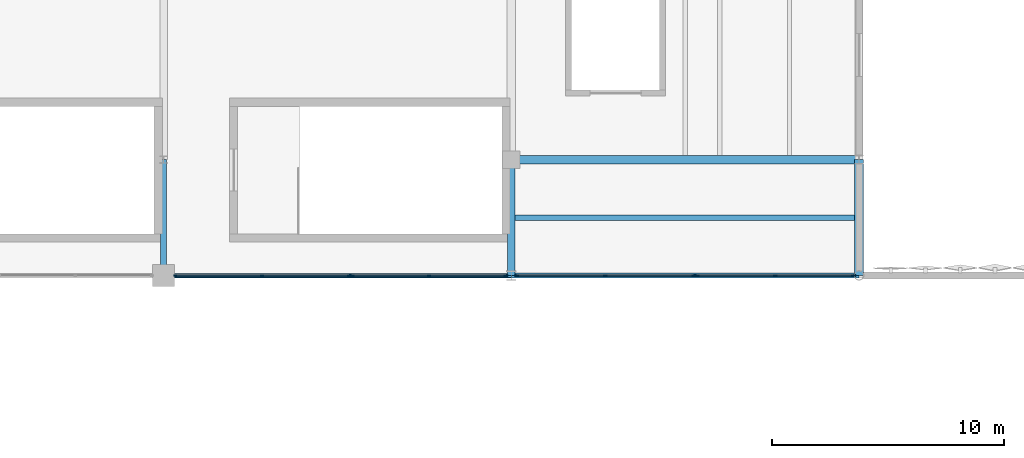
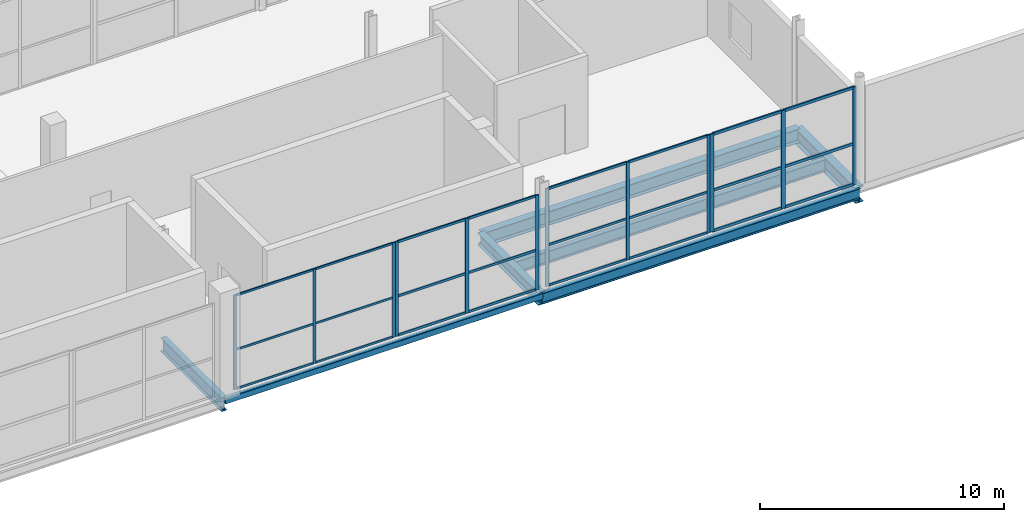
# One storey, part 37 of 119: 36 members, 7 beams, 4 elements without a shape of their own.
"""IFC4 building model written with IfcOpenShell, lengths in metres."""

from ifc_helpers import new_model, si_unit, direction, frame, origin, origin_2d, place, context, subcontext, project, spatial, rectangle, hollow_rectangle, i_section, extrude, material, layer, layer_set, material_profile, profile_set, type_object, element, aggregate, save


model = new_model("IFC4")

# Units and contexts
model_context = context("Model", 3, precision=1e-05, world=origin(), true_north=direction((0.0, 1.0)))
body_context = subcontext(model_context, "Body", "Model", "MODEL_VIEW")
ifc_project = project(units=[si_unit("LENGTHUNIT", "METRE"), si_unit("AREAUNIT", "SQUARE_METRE"), si_unit("VOLUMEUNIT", "CUBIC_METRE"), si_unit("PLANEANGLEUNIT", "RADIAN"), si_unit("MASSUNIT", "GRAM", prefix="KILO")], contexts=[model_context])

# Site, building, storey
site_placement = place(None, origin())
site = spatial("IfcSite", under=ifc_project, at=site_placement, CompositionType="ELEMENT")
building_placement = place(site_placement, origin())
building = spatial("IfcBuilding", under=site, at=building_placement, Name="Qamarlyn Nura Convention Centre", CompositionType="ELEMENT")
storey_placement = place(building_placement, frame((0.0, 0.0, 5.39990234375)))
storey = spatial("IfcBuildingStorey", under=building, at=storey_placement, Name="L01", CompositionType="ELEMENT", Elevation=5.39990234375)

# Beams
ifc_material_1 = material(Name="Steel ASTM A992", Category="steel")
ifc_material_profile_1 = material_profile(ifc_material_1, i_section(OverallWidth=0.323974609375, OverallDepth=0.611083984375, WebThickness=0.0126953125, FlangeThickness=0.01904296875, FilletRadius=0.01611328125, at=origin_2d()), Name="W610X155")
ifc_profile_set_1 = profile_set([ifc_material_profile_1], Name="Steel ASTM A992")
beam_type_1 = type_object("IfcBeamType", Name="BM-GIRD-610", PredefinedType="BEAM", material=ifc_profile_set_1)
beam_1_placement = place(storey_placement, frame((75.0, 103.0, -0.525390625), z_axis=(0.0, 1.0, 0.0), x_axis=(-1.0, 0.0, 0.0)))
element("IfcBeam", 1, at=beam_1_placement, inside=storey, type_object=beam_type_1, Name="L01 girder 6 M-N", PredefinedType="BEAM", context=body_context, shape_type="SweptSolid", body=[
    extrude(i_section(OverallWidth=0.323974609375, OverallDepth=0.611083984375, WebThickness=0.0126953125, FlangeThickness=0.01904296875, FilletRadius=0.01611328125, at=origin_2d()), origin(), (0.0, 0.0, 1.0), 5.0),
])
ifc_material_profile_2 = material_profile(ifc_material_1, i_section(OverallWidth=0.35498046875, OverallDepth=0.695068359375, WebThickness=0.015380859375, FlangeThickness=0.02490234375, FilletRadius=0.01806640625, at=origin_2d()), Name="W690X217")
ifc_profile_set_2 = profile_set([ifc_material_profile_2], Name="Steel ASTM A992")
beam_type_2 = type_object("IfcBeamType", Name="BM-GIRD-690A", PredefinedType="BEAM", material=ifc_profile_set_2)
beam_2_placement = place(storey_placement, frame((75.0, 108.0, -0.5673828125), z_axis=(1.0, 0.0, 0.0), x_axis=(0.0, 1.0, 0.0)))
element("IfcBeam", 2, at=beam_2_placement, inside=storey, type_object=beam_type_2, Name="L01 girder N 6-7", PredefinedType="BEAM", context=body_context, shape_type="SweptSolid", body=[
    extrude(i_section(OverallWidth=0.35498046875, OverallDepth=0.695068359375, WebThickness=0.015380859375, FlangeThickness=0.02490234375, FilletRadius=0.01806640625, at=origin_2d()), origin(), (0.0, 0.0, 1.0), 15.0),
])
ifc_material_profile_3 = material_profile(ifc_material_1, i_section(OverallWidth=0.25390625, OverallDepth=0.68408203125, WebThickness=0.012451171875, FlangeThickness=0.01904296875, FilletRadius=0.01806640625, at=origin_2d()), Name="W690X140")
ifc_profile_set_3 = profile_set([ifc_material_profile_3], Name="Steel ASTM A992")
beam_type_3 = type_object("IfcBeamType", Name="BM-GIRD-690B", PredefinedType="BEAM", material=ifc_profile_set_3)
beam_3_placement = place(storey_placement, frame((60.0, 103.0, -0.56201171875), z_axis=(0.0, 1.0, 0.0), x_axis=(-1.0, 0.0, 0.0)))
element("IfcBeam", 3, at=beam_3_placement, inside=storey, type_object=beam_type_3, Name="L01 girder 5 M-N", PredefinedType="BEAM", context=body_context, shape_type="SweptSolid", body=[
    extrude(i_section(OverallWidth=0.25390625, OverallDepth=0.68408203125, WebThickness=0.012451171875, FlangeThickness=0.01904296875, FilletRadius=0.01806640625, at=origin_2d()), origin(), (0.0, 0.0, 1.0), 5.0),
])
ifc_material_profile_4 = material_profile(ifc_material_1, i_section(OverallWidth=0.381103515625, OverallDepth=0.77294921875, WebThickness=0.0166015625, FlangeThickness=0.027587890625, FilletRadius=0.02001953125, at=origin_2d()), Name="W760X257")
ifc_profile_set_4 = profile_set([ifc_material_profile_4], Name="Steel ASTM A992")
beam_type_4 = type_object("IfcBeamType", Name="BM-GIRD-760", PredefinedType="BEAM", material=ifc_profile_set_4)
beam_4_placement = place(storey_placement, frame((90.0, 103.0, -0.6064453125), z_axis=(0.0, 1.0, 0.0), x_axis=(-1.0, 0.0, 0.0)))
element("IfcBeam", 4, at=beam_4_placement, inside=storey, type_object=beam_type_4, Name="L01 girder 7 M-N", PredefinedType="BEAM", context=body_context, shape_type="SweptSolid", body=[
    extrude(i_section(OverallWidth=0.381103515625, OverallDepth=0.77294921875, WebThickness=0.0166015625, FlangeThickness=0.027587890625, FilletRadius=0.02001953125, at=origin_2d()), origin(), (0.0, 0.0, 1.0), 5.0),
])
ifc_material_profile_5 = material_profile(ifc_material_1, i_section(OverallWidth=0.22802734375, OverallDepth=0.60791015625, WebThickness=0.01123046875, FlangeThickness=0.017333984375, FilletRadius=0.01611328125, at=origin_2d()), Name="W610X113")
ifc_profile_set_5 = profile_set([ifc_material_profile_5], Name="Steel ASTM A992")
beam_type_5 = type_object("IfcBeamType", Name="BM-JOIST-610", PredefinedType="JOIST", material=ifc_profile_set_5)
beam_5_placement = place(storey_placement, frame((75.162109375, 105.5, -0.52392578125), z_axis=(1.0, 0.0, 0.0), x_axis=(0.0, 1.0, 0.0)))
element("IfcBeam", 5, at=beam_5_placement, inside=storey, type_object=beam_type_5, Name="L01 composite joist 6-7/M+1", PredefinedType="JOIST", context=body_context, shape_type="SweptSolid", body=[
    extrude(i_section(OverallWidth=0.22802734375, OverallDepth=0.60791015625, WebThickness=0.01123046875, FlangeThickness=0.017333984375, FilletRadius=0.01611328125, at=origin_2d()), origin(), (0.0, 0.0, 1.0), 14.6474609375),
])
ifc_material_profile_6 = material_profile(ifc_material_1, i_section(OverallWidth=0.2109375, OverallDepth=0.5390625, WebThickness=0.01171875, FlangeThickness=0.018798828125, FilletRadius=0.013916015625, at=origin_2d()), Name="W530X109")
ifc_profile_set_6 = profile_set([ifc_material_profile_6], Name="Steel ASTM A992")
beam_type_6 = type_object("IfcBeamType", Name="BM-SPAN-530", PredefinedType="SPANDREL", material=ifc_profile_set_6)
beam_6_placement = place(storey_placement, frame((75.0, 103.0, -0.489501953125), z_axis=(1.0, 0.0, 0.0), x_axis=(0.0, 1.0, 0.0)))
element("IfcBeam", 6, at=beam_6_placement, inside=storey, type_object=beam_type_6, Name="L01 girder M 6-7", PredefinedType="SPANDREL", context=body_context, shape_type="SweptSolid", body=[
    extrude(i_section(OverallWidth=0.2109375, OverallDepth=0.5390625, WebThickness=0.01171875, FlangeThickness=0.018798828125, FilletRadius=0.013916015625, at=origin_2d()), origin(), (0.0, 0.0, 1.0), 15.0),
])
ifc_material_2 = material(Name="Steel ASTM A500 Grade C", Category="steel")
ifc_material_profile_7 = material_profile(ifc_material_2, hollow_rectangle(XDim=0.199951171875, YDim=0.300048828125, WallThickness=0.012451171875, InnerFilletRadius=0.012451171875, OuterFilletRadius=0.02490234375, at=origin_2d()), Name="HSS300X200X12.5")
ifc_profile_set_7 = profile_set([ifc_material_profile_7], Name="Steel ASTM A500 Grade C")
beam_type_7 = type_object("IfcBeamType", Name="BM-SPAN-HSS", PredefinedType="SPANDREL", material=ifc_profile_set_7)
beam_7_placement = place(storey_placement, frame((60.0, 103.0, -0.369873046875), z_axis=(1.0, 0.0, 0.0), x_axis=(0.0, 1.0, 0.0)))
element("IfcBeam", 7, at=beam_7_placement, inside=storey, type_object=beam_type_7, Name="L01 girder M 5-6", PredefinedType="SPANDREL", context=body_context, shape_type="SweptSolid", body=[
    extrude(hollow_rectangle(XDim=0.199951171875, YDim=0.300048828125, WallThickness=0.012451171875, InnerFilletRadius=0.012451171875, OuterFilletRadius=0.02490234375, at=origin_2d()), origin(), (0.0, 0.0, 1.0), 15.0),
])

# Curtain wall, members
ifc_material_3 = material(Name="Double-silver low-E insulated glass", Category="glass")
ifc_layer_1 = layer(ifc_material_3, 0.179931640625, Name="CW-UNIT-40")
ifc_layer_set_1 = layer_set([ifc_layer_1], Name="Double-silver low-E insulated glass")
curtain_wall_type_1 = type_object("IfcCurtainWallType", Name="CW-UNIT-40", PredefinedType="NOTDEFINED", material=ifc_layer_set_1)
curtain_wall_1_placement = place(storey_placement, origin())
curtain_wall_1 = element("IfcCurtainWall", 8, at=curtain_wall_1_placement, inside=storey, type_object=curtain_wall_type_1, Name="L01 unitised curtain wall NS-INT-4-1B", PredefinedType="NOTDEFINED")
ifc_material_4 = material(Name="Champagne-anodised marine aluminium", Category="aluminium")
ifc_material_profile_8 = material_profile(ifc_material_4, rectangle(XDim=0.06005859375, YDim=0.139892578125, at=origin_2d()), Name="ALU MULLION 60x140")
ifc_profile_set_8 = profile_set([ifc_material_profile_8], Name="Champagne-anodised marine aluminium")
member_type_1 = type_object("IfcMemberType", Name="CWM-140", PredefinedType="MULLION", material=ifc_profile_set_8)
member_1_placement = place(storey_placement, frame((67.994873046875, 103.0, 0.0), z_axis=(0.0, 0.0, 1.0), x_axis=(0.0, -1.0, 0.0)))
member_1 = element("IfcMember", 9, at=member_1_placement, type_object=member_type_1, Name="CW40 mullion 1", PredefinedType="MULLION", context=body_context, shape_type="SweptSolid", body=[
    extrude(rectangle(XDim=0.06005859375, YDim=0.139892578125, at=origin_2d()), origin(), (0.0, 0.0, 1.0), 4.72412109375),
])
member_2_placement = place(storey_placement, frame((64.25, 103.0, 0.0), z_axis=(0.0, 0.0, 1.0), x_axis=(0.0, -1.0, 0.0)))
member_2 = element("IfcMember", 10, at=member_2_placement, type_object=member_type_1, Name="CW40 mullion 2", PredefinedType="MULLION", context=body_context, shape_type="SweptSolid", body=[
    extrude(rectangle(XDim=0.06005859375, YDim=0.139892578125, at=origin_2d()), origin(), (0.0, 0.0, 1.0), 4.72412109375),
])
member_3_placement = place(storey_placement, frame((60.5048828125, 103.0, 0.0), z_axis=(0.0, 0.0, 1.0), x_axis=(0.0, -1.0, 0.0)))
member_3 = element("IfcMember", 11, at=member_3_placement, type_object=member_type_1, Name="CW40 mullion 3", PredefinedType="MULLION", context=body_context, shape_type="SweptSolid", body=[
    extrude(rectangle(XDim=0.06005859375, YDim=0.139892578125, at=origin_2d()), origin(), (0.0, 0.0, 1.0), 4.72412109375),
])

ifc_layer_2 = layer(ifc_material_3, 0.179931640625, Name="CW-UNIT-39")
ifc_layer_set_2 = layer_set([ifc_layer_2], Name="Double-silver low-E insulated glass")
curtain_wall_type_2 = type_object("IfcCurtainWallType", Name="CW-UNIT-39", PredefinedType="NOTDEFINED", material=ifc_layer_set_2)
curtain_wall_2_placement = place(storey_placement, origin())
curtain_wall_2 = element("IfcCurtainWall", 12, at=curtain_wall_2_placement, inside=storey, type_object=curtain_wall_type_2, Name="L01 unitised curtain wall NS-INT-4-1A", PredefinedType="NOTDEFINED")
ifc_material_profile_9 = material_profile(ifc_material_4, rectangle(XDim=0.06494140625, YDim=0.159912109375, at=origin_2d()), Name="ALU MULLION 65x160")
ifc_profile_set_9 = profile_set([ifc_material_profile_9], Name="Champagne-anodised marine aluminium")
member_type_2 = type_object("IfcMemberType", Name="CWM-160", PredefinedType="MULLION", material=ifc_profile_set_9)
member_4_placement = place(storey_placement, frame((74.762939453125, 103.0, 0.0), z_axis=(0.0, 0.0, 1.0), x_axis=(0.0, -1.0, 0.0)))
member_4 = element("IfcMember", 13, at=member_4_placement, type_object=member_type_2, Name="CW39 mullion 1", PredefinedType="MULLION", context=body_context, shape_type="SweptSolid", body=[
    extrude(rectangle(XDim=0.06494140625, YDim=0.159912109375, at=origin_2d()), origin(), (0.0, 0.0, 1.0), 4.72412109375),
])
member_5_placement = place(storey_placement, frame((71.4501953125, 103.0, 0.0), z_axis=(0.0, 0.0, 1.0), x_axis=(0.0, -1.0, 0.0)))
member_5 = element("IfcMember", 14, at=member_5_placement, type_object=member_type_2, Name="CW39 mullion 2", PredefinedType="MULLION", context=body_context, shape_type="SweptSolid", body=[
    extrude(rectangle(XDim=0.06494140625, YDim=0.159912109375, at=origin_2d()), origin(), (0.0, 0.0, 1.0), 4.72412109375),
])
member_6_placement = place(storey_placement, frame((68.137451171875, 103.0, 0.0), z_axis=(0.0, 0.0, 1.0), x_axis=(0.0, -1.0, 0.0)))
member_6 = element("IfcMember", 15, at=member_6_placement, type_object=member_type_2, Name="CW39 mullion 3", PredefinedType="MULLION", context=body_context, shape_type="SweptSolid", body=[
    extrude(rectangle(XDim=0.06494140625, YDim=0.159912109375, at=origin_2d()), origin(), (0.0, 0.0, 1.0), 4.72412109375),
])

ifc_layer_3 = layer(ifc_material_3, 0.179931640625, Name="CW-UNIT-42")
ifc_layer_set_3 = layer_set([ifc_layer_3], Name="Double-silver low-E insulated glass")
curtain_wall_type_3 = type_object("IfcCurtainWallType", Name="CW-UNIT-42", PredefinedType="NOTDEFINED", material=ifc_layer_set_3)
curtain_wall_3_placement = place(storey_placement, origin())
curtain_wall_3 = element("IfcCurtainWall", 16, at=curtain_wall_3_placement, inside=storey, type_object=curtain_wall_type_3, Name="L01 unitised curtain wall NS-INT-5-1B", PredefinedType="NOTDEFINED")
member_7_placement = place(storey_placement, frame((82.865966796875, 103.0, 0.0), z_axis=(0.0, 0.0, 1.0), x_axis=(0.0, -1.0, 0.0)))
member_7 = element("IfcMember", 17, at=member_7_placement, type_object=member_type_2, Name="CW42 mullion 1", PredefinedType="MULLION", context=body_context, shape_type="SweptSolid", body=[
    extrude(rectangle(XDim=0.06494140625, YDim=0.159912109375, at=origin_2d()), origin(), (0.0, 0.0, 1.0), 4.89013671875),
])
member_8_placement = place(storey_placement, frame((79.051513671875, 103.0, 0.0), z_axis=(0.0, 0.0, 1.0), x_axis=(0.0, -1.0, 0.0)))
member_8 = element("IfcMember", 18, at=member_8_placement, type_object=member_type_2, Name="CW42 mullion 2", PredefinedType="MULLION", context=body_context, shape_type="SweptSolid", body=[
    extrude(rectangle(XDim=0.06494140625, YDim=0.159912109375, at=origin_2d()), origin(), (0.0, 0.0, 1.0), 4.89013671875),
])
member_9_placement = place(storey_placement, frame((75.237060546875, 103.0, 0.0), z_axis=(0.0, 0.0, 1.0), x_axis=(0.0, -1.0, 0.0)))
member_9 = element("IfcMember", 19, at=member_9_placement, type_object=member_type_2, Name="CW42 mullion 3", PredefinedType="MULLION", context=body_context, shape_type="SweptSolid", body=[
    extrude(rectangle(XDim=0.06494140625, YDim=0.159912109375, at=origin_2d()), origin(), (0.0, 0.0, 1.0), 4.89013671875),
])

ifc_layer_4 = layer(ifc_material_3, 0.179931640625, Name="CW-UNIT-41")
ifc_layer_set_4 = layer_set([ifc_layer_4], Name="Double-silver low-E insulated glass")
curtain_wall_type_4 = type_object("IfcCurtainWallType", Name="CW-UNIT-41", PredefinedType="NOTDEFINED", material=ifc_layer_set_4)
curtain_wall_4_placement = place(storey_placement, origin())
curtain_wall_4 = element("IfcCurtainWall", 20, at=curtain_wall_4_placement, inside=storey, type_object=curtain_wall_type_4, Name="L01 unitised curtain wall NS-INT-5-1A", PredefinedType="NOTDEFINED")
ifc_material_profile_10 = material_profile(ifc_material_4, rectangle(XDim=0.070068359375, YDim=0.179931640625, at=origin_2d()), Name="ALU MULLION 70x180")
ifc_profile_set_10 = profile_set([ifc_material_profile_10], Name="Champagne-anodised marine aluminium")
member_type_3 = type_object("IfcMemberType", Name="CWM-180", PredefinedType="MULLION", material=ifc_profile_set_10)
member_10_placement = place(storey_placement, frame((89.76171875, 103.0, 0.0), z_axis=(0.0, 0.0, 1.0), x_axis=(0.0, -1.0, 0.0)))
member_10 = element("IfcMember", 21, at=member_10_placement, type_object=member_type_3, Name="CW41 mullion 1", PredefinedType="MULLION", context=body_context, shape_type="SweptSolid", body=[
    extrude(rectangle(XDim=0.070068359375, YDim=0.179931640625, at=origin_2d()), origin(), (0.0, 0.0, 1.0), 4.89013671875),
])
member_11_placement = place(storey_placement, frame((86.3876953125, 103.0, 0.0), z_axis=(0.0, 0.0, 1.0), x_axis=(0.0, -1.0, 0.0)))
member_11 = element("IfcMember", 22, at=member_11_placement, type_object=member_type_3, Name="CW41 mullion 2", PredefinedType="MULLION", context=body_context, shape_type="SweptSolid", body=[
    extrude(rectangle(XDim=0.070068359375, YDim=0.179931640625, at=origin_2d()), origin(), (0.0, 0.0, 1.0), 4.89013671875),
])
member_12_placement = place(storey_placement, frame((83.013427734375, 103.0, 0.0), z_axis=(0.0, 0.0, 1.0), x_axis=(0.0, -1.0, 0.0)))
member_12 = element("IfcMember", 23, at=member_12_placement, type_object=member_type_3, Name="CW41 mullion 3", PredefinedType="MULLION", context=body_context, shape_type="SweptSolid", body=[
    extrude(rectangle(XDim=0.070068359375, YDim=0.179931640625, at=origin_2d()), origin(), (0.0, 0.0, 1.0), 4.89013671875),
])

# Member
ifc_material_profile_11 = material_profile(ifc_material_4, rectangle(XDim=0.06005859375, YDim=0.10009765625, at=origin_2d()), Name="ALU TRANSOM 60x100")
ifc_profile_set_11 = profile_set([ifc_material_profile_11], Name="Champagne-anodised marine aluminium")
member_type_4 = type_object("IfcMemberType", Name="CWT-100", PredefinedType="USERDEFINED", material=ifc_profile_set_11)
member_13_placement = place(storey_placement, frame((67.96484375, 103.0, 0.030029296875), z_axis=(-1.0, 0.0, 0.0), x_axis=(0.0, -1.0, 0.0)))
member_13 = element("IfcMember", 24, at=member_13_placement, type_object=member_type_4, Name="CW40 transom 1.1", ObjectType="TRANSOM", PredefinedType="USERDEFINED", context=body_context, shape_type="SweptSolid", body=[
    extrude(rectangle(XDim=0.06005859375, YDim=0.10009765625, at=origin_2d()), origin(), (0.0, 0.0, 1.0), 3.684814453125),
])

member_14_placement = place(storey_placement, frame((67.96484375, 103.0, 1.984130859375), z_axis=(-1.0, 0.0, 0.0), x_axis=(0.0, -1.0, 0.0)))
member_14 = element("IfcMember", 25, at=member_14_placement, type_object=member_type_4, Name="CW40 transom 1.2", ObjectType="TRANSOM", PredefinedType="USERDEFINED", context=body_context, shape_type="SweptSolid", body=[
    extrude(rectangle(XDim=0.06005859375, YDim=0.10009765625, at=origin_2d()), origin(), (0.0, 0.0, 1.0), 3.684814453125),
])

member_15_placement = place(storey_placement, frame((67.96484375, 103.0, 4.694091796875), z_axis=(-1.0, 0.0, 0.0), x_axis=(0.0, -1.0, 0.0)))
member_15 = element("IfcMember", 26, at=member_15_placement, type_object=member_type_4, Name="CW40 transom 1.3", ObjectType="TRANSOM", PredefinedType="USERDEFINED", context=body_context, shape_type="SweptSolid", body=[
    extrude(rectangle(XDim=0.06005859375, YDim=0.10009765625, at=origin_2d()), origin(), (0.0, 0.0, 1.0), 3.684814453125),
])

member_16_placement = place(storey_placement, frame((64.219970703125, 103.0, 0.030029296875), z_axis=(-1.0, 0.0, 0.0), x_axis=(0.0, -1.0, 0.0)))
member_16 = element("IfcMember", 27, at=member_16_placement, type_object=member_type_4, Name="CW40 transom 2.1", ObjectType="TRANSOM", PredefinedType="USERDEFINED", context=body_context, shape_type="SweptSolid", body=[
    extrude(rectangle(XDim=0.06005859375, YDim=0.10009765625, at=origin_2d()), origin(), (0.0, 0.0, 1.0), 3.68505859375),
])

member_17_placement = place(storey_placement, frame((64.219970703125, 103.0, 1.984130859375), z_axis=(-1.0, 0.0, 0.0), x_axis=(0.0, -1.0, 0.0)))
member_17 = element("IfcMember", 28, at=member_17_placement, type_object=member_type_4, Name="CW40 transom 2.2", ObjectType="TRANSOM", PredefinedType="USERDEFINED", context=body_context, shape_type="SweptSolid", body=[
    extrude(rectangle(XDim=0.06005859375, YDim=0.10009765625, at=origin_2d()), origin(), (0.0, 0.0, 1.0), 3.68505859375),
])

member_18_placement = place(storey_placement, frame((64.219970703125, 103.0, 4.694091796875), z_axis=(-1.0, 0.0, 0.0), x_axis=(0.0, -1.0, 0.0)))
member_18 = element("IfcMember", 29, at=member_18_placement, type_object=member_type_4, Name="CW40 transom 2.3", ObjectType="TRANSOM", PredefinedType="USERDEFINED", context=body_context, shape_type="SweptSolid", body=[
    extrude(rectangle(XDim=0.06005859375, YDim=0.10009765625, at=origin_2d()), origin(), (0.0, 0.0, 1.0), 3.68505859375),
])

aggregate(curtain_wall_1, [member_1, member_2, member_3, member_13, member_14, member_15, member_16, member_17, member_18])

ifc_material_profile_12 = material_profile(ifc_material_4, rectangle(XDim=0.06494140625, YDim=0.1201171875, at=origin_2d()), Name="ALU TRANSOM 65x120")
ifc_profile_set_12 = profile_set([ifc_material_profile_12], Name="Champagne-anodised marine aluminium")
member_type_5 = type_object("IfcMemberType", Name="CWT-120", PredefinedType="USERDEFINED", material=ifc_profile_set_12)
member_19_placement = place(storey_placement, frame((74.73046875, 103.0, 0.03271484375), z_axis=(-1.0, 0.0, 0.0), x_axis=(0.0, -1.0, 0.0)))
member_19 = element("IfcMember", 30, at=member_19_placement, type_object=member_type_5, Name="CW39 transom 1.1", ObjectType="TRANSOM", PredefinedType="USERDEFINED", context=body_context, shape_type="SweptSolid", body=[
    extrude(rectangle(XDim=0.06494140625, YDim=0.1201171875, at=origin_2d()), origin(), (0.0, 0.0, 1.0), 3.247802734375),
])

member_20_placement = place(storey_placement, frame((74.73046875, 103.0, 1.984130859375), z_axis=(-1.0, 0.0, 0.0), x_axis=(0.0, -1.0, 0.0)))
member_20 = element("IfcMember", 31, at=member_20_placement, type_object=member_type_5, Name="CW39 transom 1.2", ObjectType="TRANSOM", PredefinedType="USERDEFINED", context=body_context, shape_type="SweptSolid", body=[
    extrude(rectangle(XDim=0.06494140625, YDim=0.1201171875, at=origin_2d()), origin(), (0.0, 0.0, 1.0), 3.247802734375),
])

member_21_placement = place(storey_placement, frame((74.73046875, 103.0, 4.691650390625), z_axis=(-1.0, 0.0, 0.0), x_axis=(0.0, -1.0, 0.0)))
member_21 = element("IfcMember", 32, at=member_21_placement, type_object=member_type_5, Name="CW39 transom 1.3", ObjectType="TRANSOM", PredefinedType="USERDEFINED", context=body_context, shape_type="SweptSolid", body=[
    extrude(rectangle(XDim=0.06494140625, YDim=0.1201171875, at=origin_2d()), origin(), (0.0, 0.0, 1.0), 3.247802734375),
])

member_22_placement = place(storey_placement, frame((71.417724609375, 103.0, 0.03271484375), z_axis=(-1.0, 0.0, 0.0), x_axis=(0.0, -1.0, 0.0)))
member_22 = element("IfcMember", 33, at=member_22_placement, type_object=member_type_5, Name="CW39 transom 2.1", ObjectType="TRANSOM", PredefinedType="USERDEFINED", context=body_context, shape_type="SweptSolid", body=[
    extrude(rectangle(XDim=0.06494140625, YDim=0.1201171875, at=origin_2d()), origin(), (0.0, 0.0, 1.0), 3.247802734375),
])

member_23_placement = place(storey_placement, frame((71.417724609375, 103.0, 1.984130859375), z_axis=(-1.0, 0.0, 0.0), x_axis=(0.0, -1.0, 0.0)))
member_23 = element("IfcMember", 34, at=member_23_placement, type_object=member_type_5, Name="CW39 transom 2.2", ObjectType="TRANSOM", PredefinedType="USERDEFINED", context=body_context, shape_type="SweptSolid", body=[
    extrude(rectangle(XDim=0.06494140625, YDim=0.1201171875, at=origin_2d()), origin(), (0.0, 0.0, 1.0), 3.247802734375),
])

member_24_placement = place(storey_placement, frame((71.417724609375, 103.0, 4.691650390625), z_axis=(-1.0, 0.0, 0.0), x_axis=(0.0, -1.0, 0.0)))
member_24 = element("IfcMember", 35, at=member_24_placement, type_object=member_type_5, Name="CW39 transom 2.3", ObjectType="TRANSOM", PredefinedType="USERDEFINED", context=body_context, shape_type="SweptSolid", body=[
    extrude(rectangle(XDim=0.06494140625, YDim=0.1201171875, at=origin_2d()), origin(), (0.0, 0.0, 1.0), 3.247802734375),
])

aggregate(curtain_wall_2, [member_4, member_5, member_6, member_19, member_20, member_21, member_22, member_23, member_24])

member_25_placement = place(storey_placement, frame((82.83349609375, 103.0, 0.03271484375), z_axis=(-1.0, 0.0, 0.0), x_axis=(0.0, -1.0, 0.0)))
member_25 = element("IfcMember", 36, at=member_25_placement, type_object=member_type_5, Name="CW42 transom 1.1", ObjectType="TRANSOM", PredefinedType="USERDEFINED", context=body_context, shape_type="SweptSolid", body=[
    extrude(rectangle(XDim=0.06494140625, YDim=0.1201171875, at=origin_2d()), origin(), (0.0, 0.0, 1.0), 3.74951171875),
])

member_26_placement = place(storey_placement, frame((82.83349609375, 103.0, 2.05419921875), z_axis=(-1.0, 0.0, 0.0), x_axis=(0.0, -1.0, 0.0)))
member_26 = element("IfcMember", 37, at=member_26_placement, type_object=member_type_5, Name="CW42 transom 1.2", ObjectType="TRANSOM", PredefinedType="USERDEFINED", context=body_context, shape_type="SweptSolid", body=[
    extrude(rectangle(XDim=0.06494140625, YDim=0.1201171875, at=origin_2d()), origin(), (0.0, 0.0, 1.0), 3.74951171875),
])

member_27_placement = place(storey_placement, frame((82.83349609375, 103.0, 4.857666015625), z_axis=(-1.0, 0.0, 0.0), x_axis=(0.0, -1.0, 0.0)))
member_27 = element("IfcMember", 38, at=member_27_placement, type_object=member_type_5, Name="CW42 transom 1.3", ObjectType="TRANSOM", PredefinedType="USERDEFINED", context=body_context, shape_type="SweptSolid", body=[
    extrude(rectangle(XDim=0.06494140625, YDim=0.1201171875, at=origin_2d()), origin(), (0.0, 0.0, 1.0), 3.74951171875),
])

member_28_placement = place(storey_placement, frame((79.01904296875, 103.0, 0.03271484375), z_axis=(-1.0, 0.0, 0.0), x_axis=(0.0, -1.0, 0.0)))
member_28 = element("IfcMember", 39, at=member_28_placement, type_object=member_type_5, Name="CW42 transom 2.1", ObjectType="TRANSOM", PredefinedType="USERDEFINED", context=body_context, shape_type="SweptSolid", body=[
    extrude(rectangle(XDim=0.06494140625, YDim=0.1201171875, at=origin_2d()), origin(), (0.0, 0.0, 1.0), 3.74951171875),
])

member_29_placement = place(storey_placement, frame((79.01904296875, 103.0, 2.05419921875), z_axis=(-1.0, 0.0, 0.0), x_axis=(0.0, -1.0, 0.0)))
member_29 = element("IfcMember", 40, at=member_29_placement, type_object=member_type_5, Name="CW42 transom 2.2", ObjectType="TRANSOM", PredefinedType="USERDEFINED", context=body_context, shape_type="SweptSolid", body=[
    extrude(rectangle(XDim=0.06494140625, YDim=0.1201171875, at=origin_2d()), origin(), (0.0, 0.0, 1.0), 3.74951171875),
])

member_30_placement = place(storey_placement, frame((79.01904296875, 103.0, 4.857666015625), z_axis=(-1.0, 0.0, 0.0), x_axis=(0.0, -1.0, 0.0)))
member_30 = element("IfcMember", 41, at=member_30_placement, type_object=member_type_5, Name="CW42 transom 2.3", ObjectType="TRANSOM", PredefinedType="USERDEFINED", context=body_context, shape_type="SweptSolid", body=[
    extrude(rectangle(XDim=0.06494140625, YDim=0.1201171875, at=origin_2d()), origin(), (0.0, 0.0, 1.0), 3.74951171875),
])

aggregate(curtain_wall_3, [member_7, member_8, member_9, member_25, member_26, member_27, member_28, member_29, member_30])

ifc_material_profile_13 = material_profile(ifc_material_4, rectangle(XDim=0.070068359375, YDim=0.139892578125, at=origin_2d()), Name="ALU TRANSOM 70x140")
ifc_profile_set_13 = profile_set([ifc_material_profile_13], Name="Champagne-anodised marine aluminium")
member_type_6 = type_object("IfcMemberType", Name="CWT-140", PredefinedType="USERDEFINED", material=ifc_profile_set_13)
member_31_placement = place(storey_placement, frame((89.726806640625, 103.0, 0.03515625), z_axis=(-1.0, 0.0, 0.0), x_axis=(0.0, -1.0, 0.0)))
member_31 = element("IfcMember", 42, at=member_31_placement, type_object=member_type_6, Name="CW41 transom 1.1", ObjectType="TRANSOM", PredefinedType="USERDEFINED", context=body_context, shape_type="SweptSolid", body=[
    extrude(rectangle(XDim=0.070068359375, YDim=0.139892578125, at=origin_2d()), origin(), (0.0, 0.0, 1.0), 3.30419921875),
])

member_32_placement = place(storey_placement, frame((89.726806640625, 103.0, 2.05419921875), z_axis=(-1.0, 0.0, 0.0), x_axis=(0.0, -1.0, 0.0)))
member_32 = element("IfcMember", 43, at=member_32_placement, type_object=member_type_6, Name="CW41 transom 1.2", ObjectType="TRANSOM", PredefinedType="USERDEFINED", context=body_context, shape_type="SweptSolid", body=[
    extrude(rectangle(XDim=0.070068359375, YDim=0.139892578125, at=origin_2d()), origin(), (0.0, 0.0, 1.0), 3.30419921875),
])

member_33_placement = place(storey_placement, frame((89.726806640625, 103.0, 4.85498046875), z_axis=(-1.0, 0.0, 0.0), x_axis=(0.0, -1.0, 0.0)))
member_33 = element("IfcMember", 44, at=member_33_placement, type_object=member_type_6, Name="CW41 transom 1.3", ObjectType="TRANSOM", PredefinedType="USERDEFINED", context=body_context, shape_type="SweptSolid", body=[
    extrude(rectangle(XDim=0.070068359375, YDim=0.139892578125, at=origin_2d()), origin(), (0.0, 0.0, 1.0), 3.30419921875),
])

member_34_placement = place(storey_placement, frame((86.3525390625, 103.0, 0.03515625), z_axis=(-1.0, 0.0, 0.0), x_axis=(0.0, -1.0, 0.0)))
member_34 = element("IfcMember", 45, at=member_34_placement, type_object=member_type_6, Name="CW41 transom 2.1", ObjectType="TRANSOM", PredefinedType="USERDEFINED", context=body_context, shape_type="SweptSolid", body=[
    extrude(rectangle(XDim=0.070068359375, YDim=0.139892578125, at=origin_2d()), origin(), (0.0, 0.0, 1.0), 3.30419921875),
])

member_35_placement = place(storey_placement, frame((86.3525390625, 103.0, 2.05419921875), z_axis=(-1.0, 0.0, 0.0), x_axis=(0.0, -1.0, 0.0)))
member_35 = element("IfcMember", 46, at=member_35_placement, type_object=member_type_6, Name="CW41 transom 2.2", ObjectType="TRANSOM", PredefinedType="USERDEFINED", context=body_context, shape_type="SweptSolid", body=[
    extrude(rectangle(XDim=0.070068359375, YDim=0.139892578125, at=origin_2d()), origin(), (0.0, 0.0, 1.0), 3.30419921875),
])

member_36_placement = place(storey_placement, frame((86.3525390625, 103.0, 4.85498046875), z_axis=(-1.0, 0.0, 0.0), x_axis=(0.0, -1.0, 0.0)))
member_36 = element("IfcMember", 47, at=member_36_placement, type_object=member_type_6, Name="CW41 transom 2.3", ObjectType="TRANSOM", PredefinedType="USERDEFINED", context=body_context, shape_type="SweptSolid", body=[
    extrude(rectangle(XDim=0.070068359375, YDim=0.139892578125, at=origin_2d()), origin(), (0.0, 0.0, 1.0), 3.30419921875),
])

aggregate(curtain_wall_4, [member_10, member_11, member_12, member_31, member_32, member_33, member_34, member_35, member_36])

save(model, "model.ifc")
